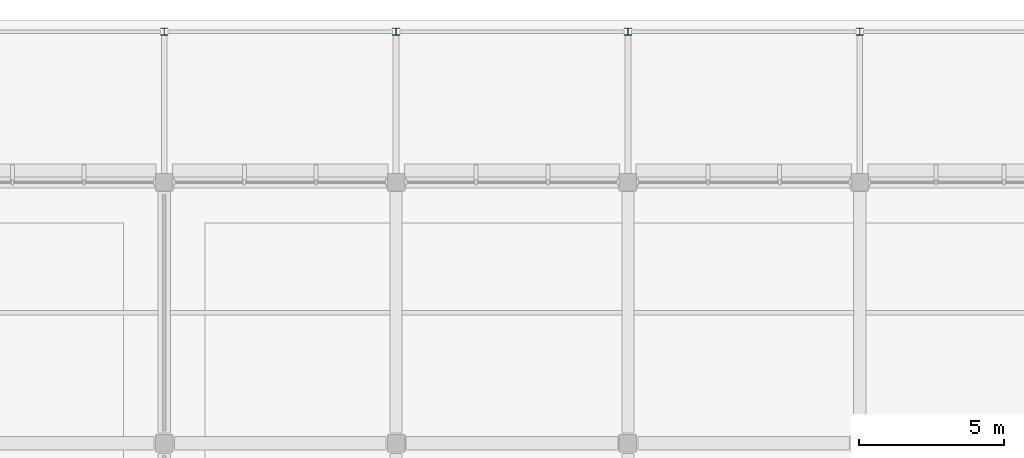
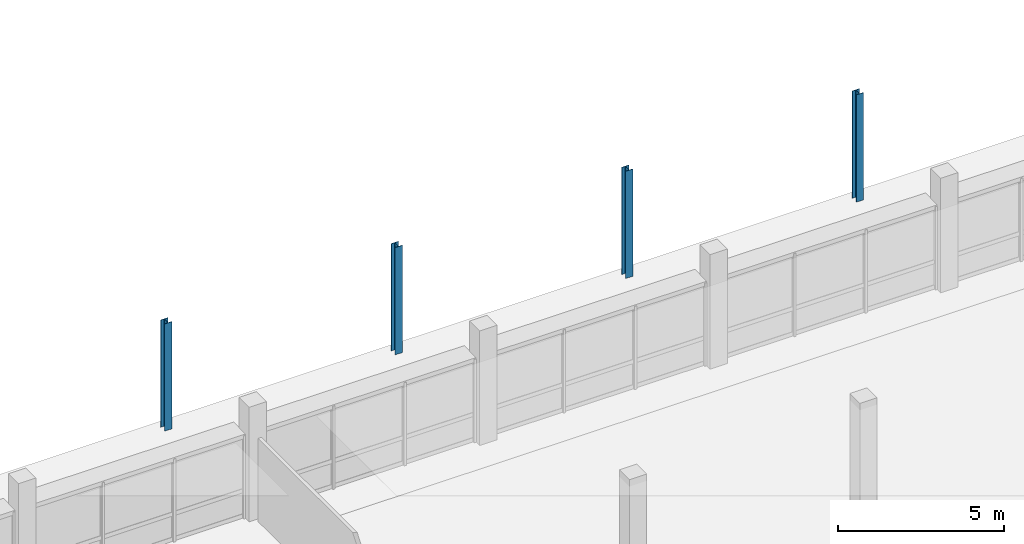
# One storey, part 4 of 57: 4 columns.
"""IFC4 building model written with IfcOpenShell, lengths in metres."""

from ifc_helpers import new_model, si_unit, direction, frame, origin, origin_2d, place, context, subcontext, project, spatial, i_section, extrude, material, material_profile, profile_set, type_object, element, save


model = new_model("IFC4")

# Units and contexts
model_context = context("Model", 3, precision=1e-05, world=origin(), true_north=direction((0.0, 1.0)))
body_context = subcontext(model_context, "Body", "Model", "MODEL_VIEW")
ifc_project = project(units=[si_unit("LENGTHUNIT", "METRE"), si_unit("AREAUNIT", "SQUARE_METRE"), si_unit("VOLUMEUNIT", "CUBIC_METRE"), si_unit("PLANEANGLEUNIT", "RADIAN"), si_unit("MASSUNIT", "GRAM", prefix="KILO"), si_unit("THERMODYNAMICTEMPERATUREUNIT", "KELVIN"), si_unit("POWERUNIT", "WATT")], contexts=[model_context])

# Site, building, storey
site_placement = place(None, origin())
site = spatial("IfcSite", under=ifc_project, at=site_placement, CompositionType="ELEMENT")
building_placement = place(site_placement, origin())
building = spatial("IfcBuilding", under=site, at=building_placement, Name="Kronsvod Quay Wholesale Market", CompositionType="ELEMENT")
storey_placement = place(building_placement, frame((0.0, 0.0, 4.800048828125)))
storey = spatial("IfcBuildingStorey", under=building, at=storey_placement, Name="L01", CompositionType="ELEMENT", Elevation=4.800048828125)

# Columns
ifc_material = material(Name="Steel S355", Category="steel")
ifc_material_profile = material_profile(ifc_material, i_section(OverallWidth=0.2490234375, OverallDepth=0.24609375, WebThickness=0.008056640625, FlangeThickness=0.011962890625, FilletRadius=0.014892578125, at=origin_2d()), Name="25K1")
ifc_profile_set = profile_set([ifc_material_profile], Name="Steel S355")
column_type = type_object("IfcColumnType", Name="Col_Steel25K1", PredefinedType="COLUMN", material=ifc_profile_set)
for number, where, z_axis, x_axis, name in (
    (1, (96.0, 131.199951171875, 0.0), (0.0, 0.0, 1.0), (1.0, 0.0, 0.0), "SCOL-CAN-L01-10"),
    (2, (104.0, 131.199951171875, 0.0), (0.0, 0.0, 1.0), (1.0, 0.0, 0.0), "SCOL-CAN-L01-11"),
    (3, (112.0, 131.199951171875, 0.0), (0.0, 0.0, 1.0), (1.0, 0.0, 0.0), "SCOL-CAN-L01-12"),
    (4, (120.0, 131.199951171875, 0.0), (0.0, 0.0, 1.0), (1.0, 0.0, 0.0), "SCOL-CAN-L01-13"),
):
    element("IfcColumn", number, at=place(storey_placement, frame(where, z_axis=z_axis, x_axis=x_axis)), inside=storey, type_object=column_type, Name=name, PredefinedType="COLUMN", context=body_context, shape_type="SweptSolid", body=[
        extrude(i_section(OverallWidth=0.2490234375, OverallDepth=0.24609375, WebThickness=0.008056640625, FlangeThickness=0.011962890625, FilletRadius=0.014892578125, at=origin_2d()), origin(), (0.0, 0.0, 1.0), 3.93505859375),
    ])

save(model, "model.ifc")
